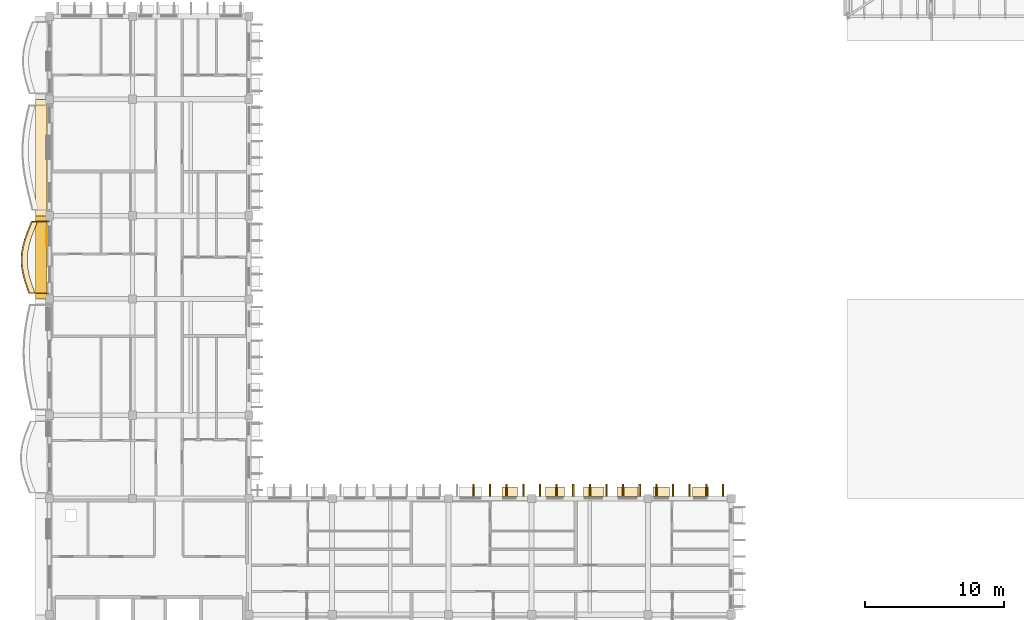
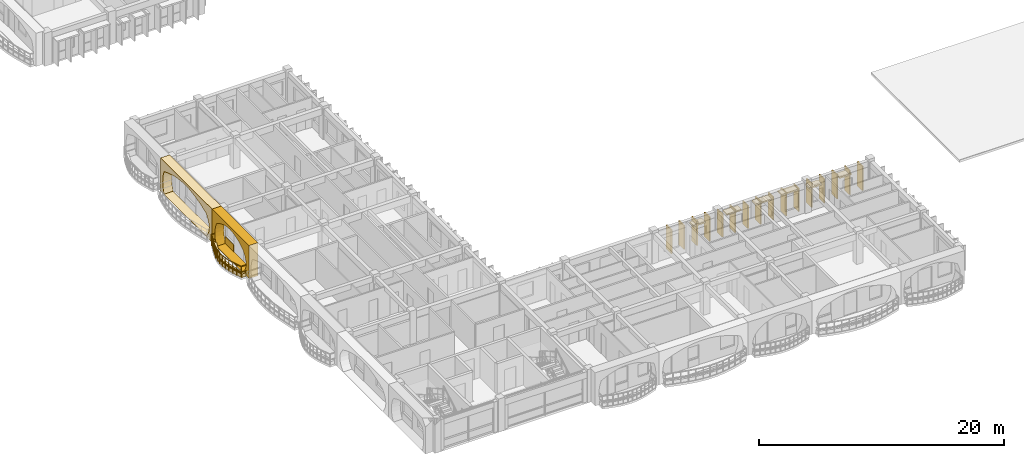
# One storey, part 73 of 101: 26 coverings, 1 railing.
"""IFC4 building model written with IfcOpenShell, lengths in metres."""

from ifc_helpers import new_model, si_unit, direction, frame, origin, origin_2d, place, context, subcontext, project, spatial, polyline, rectangle, outline, extrude, material, layer, layer_set, type_object, element, save


model = new_model("IFC4")

# Units and contexts
model_context = context("Model", 3, precision=1e-05, world=origin(), true_north=direction((0.0, 1.0)))
body_context = subcontext(model_context, "Body", "Model", "MODEL_VIEW")
ifc_project = project(units=[si_unit("LENGTHUNIT", "METRE"), si_unit("AREAUNIT", "SQUARE_METRE"), si_unit("VOLUMEUNIT", "CUBIC_METRE"), si_unit("PLANEANGLEUNIT", "RADIAN"), si_unit("MASSUNIT", "GRAM", prefix="KILO"), si_unit("THERMODYNAMICTEMPERATUREUNIT", "KELVIN")], contexts=[model_context])

# Site, building, storey
site_placement = place(None, origin())
site = spatial("IfcSite", under=ifc_project, at=site_placement, CompositionType="ELEMENT")
building_placement = place(site_placement, origin())
building = spatial("IfcBuilding", under=site, at=building_placement, Name="Thalorik Housing Commons", CompositionType="ELEMENT")
storey_placement = place(building_placement, frame((0.0, 0.0, 8.10009765625)))
storey = spatial("IfcBuildingStorey", under=building, at=storey_placement, Name="L02", CompositionType="ELEMENT", Elevation=8.10009765625)

# Coverings
ifc_material_1 = material(Name="Cobalt blue glazed ceramic facade tile panel", Category="masonry")
ifc_layer_1 = layer(ifc_material_1, 0.06005859375, Name="Cobalt blue glazed ceramic facade tile panel", Category="masonry")
ifc_layer_set_1 = layer_set([ifc_layer_1], Name="Cobalt blue glazed ceramic facade tile panel")
covering_type_1 = type_object("IfcCoveringType", Name="ARC-CLD-BLU-60", PredefinedType="CLADDING", material=ifc_layer_set_1)
covering_1_placement = place(storey_placement, frame((8.205078125, 41.72998046875, 0.0498046875), z_axis=(0.0, 0.0, 1.0), x_axis=(0.0, -1.0, 0.0)))
element("IfcCovering", 1, at=covering_1_placement, inside=storey, type_object=covering_type_1, Name="L02 De Stijl Recessed Window Spandrel 3594", PredefinedType="CLADDING", context=body_context, shape_type="SweptSolid", body=[
    extrude(rectangle(XDim=1.3798828125, YDim=0.06005859375, at=origin_2d()), origin(), (0.0, 0.0, 1.0), 0.699951171875),
])
ifc_material_2 = material(Name="Precast concrete C40/50", Category="concrete")
ifc_layer_2 = layer(ifc_material_2, 0.85009765625, Name="Precast concrete C40/50", Category="concrete")
ifc_layer_set_2 = layer_set([ifc_layer_2], Name="Precast concrete C40/50")
covering_type_2 = type_object("IfcCoveringType", Name="ARC-CLD-CUSH-850", PredefinedType="CLADDING", material=ifc_layer_set_2)
covering_2_placement = place(storey_placement, frame((7.81494140625, 47.39990234375, 0.0), z_axis=(0.0, 0.0, 1.0), x_axis=(0.0, -1.0, 0.0)))
element("IfcCovering", 2, at=covering_2_placement, inside=storey, type_object=covering_type_2, Name="L02 White Precast Curved Cushion Bay Frame 3591", PredefinedType="CLADDING", context=body_context, shape_type="SweptSolid", body=[
    extrude(outline(polyline([(-4.199951171875, 0.0), (4.199951171875, 0.0), (4.199951171875, 3.300048828125), (-4.199951171875, 3.300048828125), (-4.199951171875, 0.0)]), holes=[polyline([(3.239990234375, 0.02490234375), (3.523193359375, 0.40087890625), (3.693359375, 0.776611328125), (3.75, 1.152587890625), (3.693359375, 1.5283203125), (3.523193359375, 1.904296875), (3.239990234375, 2.280029296875), (2.66748046875, 2.51123046875), (2.094970703125, 2.693115234375), (1.5224609375, 2.840087890625), (0.949951171875, 2.94970703125), (0.37744140625, 3.01708984375), (-0.195068359375, 3.0400390625), (-0.767578125, 3.01708984375), (-1.340087890625, 2.94970703125), (-1.91259765625, 2.840087890625), (-2.485107421875, 2.693115234375), (-3.0576171875, 2.51123046875), (-3.6298828125, 2.280029296875), (-3.750244140625, 1.904296875), (-3.822509765625, 1.5283203125), (-3.8466796875, 1.152587890625), (-3.822509765625, 0.776611328125), (-3.750244140625, 0.40087890625), (-3.6298828125, 0.02490234375), (3.239990234375, 0.02490234375)])]), frame((0.0, 0.425048828125, 0.0), z_axis=(0.0, -1.0, 0.0), x_axis=(1.0, 0.0, 0.0)), (0.0, 0.0, 1.0), 0.85009765625),
])
covering_3_placement = place(storey_placement, frame((7.81494140625, 40.199951171875, 0.0), z_axis=(0.0, 0.0, 1.0), x_axis=(0.0, -1.0, 0.0)))
element("IfcCovering", 3, at=covering_3_placement, inside=storey, type_object=covering_type_2, Name="L02 White Precast Curved Cushion Bay Frame 3593", PredefinedType="CLADDING", context=body_context, shape_type="SweptSolid", body=[
    extrude(outline(polyline([(-3.0, 0.0), (3.0, 0.0), (3.0, 3.300048828125), (-3.0, 3.300048828125), (-3.0, 0.0)]), holes=[polyline([(2.0400390625, 0.02490234375), (2.3232421875, 0.404296875), (2.493408203125, 0.783203125), (2.550048828125, 1.16259765625), (2.493408203125, 1.541748046875), (2.3232421875, 1.9208984375), (2.0400390625, 2.300048828125), (1.680908203125, 2.525390625), (1.32177734375, 2.7021484375), (0.96240234375, 2.845458984375), (0.603271484375, 2.951904296875), (0.244140625, 3.017822265625), (-0.114990234375, 3.0400390625), (-0.47412109375, 3.017822265625), (-0.833251953125, 2.951904296875), (-1.1923828125, 2.845458984375), (-1.5517578125, 2.7021484375), (-1.910888671875, 2.525390625), (-2.27001953125, 2.300048828125), (-2.425537109375, 1.9208984375), (-2.518798828125, 1.541748046875), (-2.550048828125, 1.16259765625), (-2.518798828125, 0.783203125), (-2.425537109375, 0.404296875), (-2.27001953125, 0.02490234375), (2.0400390625, 0.02490234375)])]), frame((0.0, 0.425048828125, 0.0), z_axis=(0.0, -1.0, 0.0), x_axis=(1.0, 0.0, 0.0)), (0.0, 0.0, 1.0), 0.85009765625),
])
ifc_layer_3 = layer(ifc_material_2, 0.85009765625, Name="Precast concrete C40/50", Category="concrete")
ifc_layer_set_3 = layer_set([ifc_layer_3], Name="Precast concrete C40/50")
covering_type_3 = type_object("IfcCoveringType", Name="ARC-CLD-FIN-850", PredefinedType="CLADDING", material=ifc_layer_set_3)
for number, where, z_axis, x_axis, name in (
    (4, (57.0, 23.385009765625, 0.039794921875), (0.0, 0.0, 1.0), (-1.0, 0.0, 0.0), "L02 Courtyard Precast Vertical Brise-Soleil Fin 3630"),
    (5, (55.800048828125, 23.385009765625, 0.039794921875), (0.0, 0.0, 1.0), (-1.0, 0.0, 0.0), "L02 Courtyard Precast Vertical Brise-Soleil Fin 3631"),
    (6, (54.60009765625, 23.385009765625, 0.039794921875), (0.0, 0.0, 1.0), (-1.0, 0.0, 0.0), "L02 Courtyard Precast Vertical Brise-Soleil Fin 3632"),
    (7, (53.39990234375, 23.385009765625, 0.039794921875), (0.0, 0.0, 1.0), (-1.0, 0.0, 0.0), "L02 Courtyard Precast Vertical Brise-Soleil Fin 3633"),
    (8, (52.199951171875, 23.385009765625, 0.039794921875), (0.0, 0.0, 1.0), (-1.0, 0.0, 0.0), "L02 Courtyard Precast Vertical Brise-Soleil Fin 3634"),
):
    element("IfcCovering", number, at=place(storey_placement, frame(where, z_axis=z_axis, x_axis=x_axis)), inside=storey, type_object=covering_type_3, Name=name, PredefinedType="CLADDING", context=body_context, shape_type="SweptSolid", body=[
        extrude(rectangle(XDim=0.110107421875, YDim=0.85009765625, at=origin_2d()), origin(), (0.0, 0.0, 1.0), 2.39501953125),
    ])
for number, where, z_axis, x_axis, name in (
    (9, (51.0, 23.385009765625, 0.0400390625), (0.0, 0.0, 1.0), (-1.0, 0.0, 0.0), "L02 Courtyard Precast Vertical Brise-Soleil Fin 3637"),
    (10, (49.800048828125, 23.385009765625, 0.0400390625), (0.0, 0.0, 1.0), (-1.0, 0.0, 0.0), "L02 Courtyard Precast Vertical Brise-Soleil Fin 3638"),
    (11, (48.60009765625, 23.385009765625, 0.0400390625), (0.0, 0.0, 1.0), (-1.0, 0.0, 0.0), "L02 Courtyard Precast Vertical Brise-Soleil Fin 3639"),
    (12, (47.39990234375, 23.385009765625, 0.0400390625), (0.0, 0.0, 1.0), (-1.0, 0.0, 0.0), "L02 Courtyard Precast Vertical Brise-Soleil Fin 3640"),
    (13, (46.199951171875, 23.385009765625, 0.0400390625), (0.0, 0.0, 1.0), (-1.0, 0.0, 0.0), "L02 Courtyard Precast Vertical Brise-Soleil Fin 3641"),
    (14, (45.0, 23.385009765625, 0.0400390625), (0.0, 0.0, 1.0), (-1.0, 0.0, 0.0), "L02 Courtyard Precast Vertical Brise-Soleil Fin 3642"),
    (15, (43.800048828125, 23.385009765625, 0.0400390625), (0.0, 0.0, 1.0), (-1.0, 0.0, 0.0), "L02 Courtyard Precast Vertical Brise-Soleil Fin 3643"),
):
    element("IfcCovering", number, at=place(storey_placement, frame(where, z_axis=z_axis, x_axis=x_axis)), inside=storey, type_object=covering_type_3, Name=name, PredefinedType="CLADDING", context=body_context, shape_type="SweptSolid", body=[
        extrude(rectangle(XDim=0.110107421875, YDim=0.85009765625, at=origin_2d()), origin(), (0.0, 0.0, 1.0), 2.294921875),
    ])
for number, where, z_axis, x_axis, name in (
    (16, (42.60009765625, 23.385009765625, 0.039794921875), (0.0, 0.0, 1.0), (-1.0, 0.0, 0.0), "L02 Courtyard Precast Vertical Brise-Soleil Fin 3647"),
    (17, (41.39990234375, 23.385009765625, 0.039794921875), (0.0, 0.0, 1.0), (-1.0, 0.0, 0.0), "L02 Courtyard Precast Vertical Brise-Soleil Fin 3648"),
    (18, (40.199951171875, 23.385009765625, 0.039794921875), (0.0, 0.0, 1.0), (-1.0, 0.0, 0.0), "L02 Courtyard Precast Vertical Brise-Soleil Fin 3649"),
    (19, (39.0, 23.385009765625, 0.039794921875), (0.0, 0.0, 1.0), (-1.0, 0.0, 0.0), "L02 Courtyard Precast Vertical Brise-Soleil Fin 3650"),
):
    element("IfcCovering", number, at=place(storey_placement, frame(where, z_axis=z_axis, x_axis=x_axis)), inside=storey, type_object=covering_type_3, Name=name, PredefinedType="CLADDING", context=body_context, shape_type="SweptSolid", body=[
        extrude(rectangle(XDim=0.110107421875, YDim=0.85009765625, at=origin_2d()), origin(), (0.0, 0.0, 1.0), 2.39501953125),
    ])
ifc_layer_4 = layer(ifc_material_2, 0.64990234375, Name="Precast concrete C40/50", Category="concrete")
ifc_layer_set_4 = layer_set([ifc_layer_4], Name="Precast concrete C40/50")
covering_type_4 = type_object("IfcCoveringType", Name="ARC-CLD-HOOD-650", PredefinedType="CLADDING", material=ifc_layer_set_4)
covering_4_placement = place(storey_placement, frame((55.373291015625, 23.284912109375, 1.98974609375), z_axis=(0.0, 0.0, 1.0), x_axis=(-1.0, 0.0, 0.0)))
element("IfcCovering", 20, at=covering_4_placement, inside=storey, type_object=covering_type_4, Name="L02 Courtyard Precast Window Sun-Hood 3635", PredefinedType="CLADDING", context=body_context, shape_type="SweptSolid", body=[
    extrude(rectangle(XDim=1.139892578125, YDim=0.64990234375, at=origin_2d()), origin(), (0.0, 0.0, 1.0), 0.139892578125),
])
covering_5_placement = place(storey_placement, frame((52.5634765625, 23.284912109375, 1.93994140625), z_axis=(0.0, 0.0, 1.0), x_axis=(-1.0, 0.0, 0.0)))
element("IfcCovering", 21, at=covering_5_placement, inside=storey, type_object=covering_type_4, Name="L02 Courtyard Precast Window Sun-Hood 3636", PredefinedType="CLADDING", context=body_context, shape_type="SweptSolid", body=[
    extrude(rectangle(XDim=1.18994140625, YDim=0.64990234375, at=origin_2d()), origin(), (0.0, 0.0, 1.0), 0.139892578125),
])
covering_6_placement = place(storey_placement, frame((50.117431640625, 23.284912109375, 2.18994140625), z_axis=(0.0, 0.0, 1.0), x_axis=(-1.0, 0.0, 0.0)))
element("IfcCovering", 22, at=covering_6_placement, inside=storey, type_object=covering_type_4, Name="L02 Courtyard Precast Window Sun-Hood 3644", PredefinedType="CLADDING", context=body_context, shape_type="SweptSolid", body=[
    extrude(rectangle(XDim=1.5400390625, YDim=0.64990234375, at=origin_2d()), origin(), (0.0, 0.0, 1.0), 0.139892578125),
])
covering_7_placement = place(storey_placement, frame((47.672607421875, 23.284912109375, 2.08984375), z_axis=(0.0, 0.0, 1.0), x_axis=(-1.0, 0.0, 0.0)))
element("IfcCovering", 23, at=covering_7_placement, inside=storey, type_object=covering_type_4, Name="L02 Courtyard Precast Window Sun-Hood 3645", PredefinedType="CLADDING", context=body_context, shape_type="SweptSolid", body=[
    extrude(rectangle(XDim=1.489990234375, YDim=0.64990234375, at=origin_2d()), origin(), (0.0, 0.0, 1.0), 0.139892578125),
])
covering_8_placement = place(storey_placement, frame((44.885009765625, 23.284912109375, 2.0400390625), z_axis=(0.0, 0.0, 1.0), x_axis=(-1.0, 0.0, 0.0)))
element("IfcCovering", 24, at=covering_8_placement, inside=storey, type_object=covering_type_4, Name="L02 Courtyard Precast Window Sun-Hood 3646", PredefinedType="CLADDING", context=body_context, shape_type="SweptSolid", body=[
    extrude(rectangle(XDim=1.389892578125, YDim=0.64990234375, at=origin_2d()), origin(), (0.0, 0.0, 1.0), 0.139892578125),
])
covering_9_placement = place(storey_placement, frame((41.611328125, 23.284912109375, 1.98974609375), z_axis=(0.0, 0.0, 1.0), x_axis=(-1.0, 0.0, 0.0)))
element("IfcCovering", 25, at=covering_9_placement, inside=storey, type_object=covering_type_4, Name="L02 Courtyard Precast Window Sun-Hood 3652", PredefinedType="CLADDING", context=body_context, shape_type="SweptSolid", body=[
    extrude(rectangle(XDim=1.139892578125, YDim=0.64990234375, at=origin_2d()), origin(), (0.0, 0.0, 1.0), 0.139892578125),
])
ifc_material_3 = material(Name="Planted vegetated substrate and terracotta trough", Category="masonry")
ifc_layer_5 = layer(ifc_material_3, 0.340087890625, Name="Planted vegetated substrate and terracotta trough", Category="masonry")
ifc_layer_set_5 = layer_set([ifc_layer_5], Name="Planted vegetated substrate and terracotta trough")
covering_type_5 = type_object("IfcCoveringType", Name="ARC-COV-PLANTER", PredefinedType="USERDEFINED", material=ifc_layer_set_5)
covering_10_placement = place(storey_placement, origin())
element("IfcCovering", 26, at=covering_10_placement, inside=storey, type_object=covering_type_5, Name="L02 Balcony Slab-Edge Planted Trough 5569", ObjectType="PLANTER", PredefinedType="USERDEFINED", context=body_context, shape_type="SweptSolid", body=[
    extrude(outline(polyline([(7.16845703125, 42.780029296875), (6.990478515625, 42.35009765625), (6.82177734375, 41.919921875), (6.6728515625, 41.489990234375), (6.553466796875, 41.06005859375), (6.470703125, 40.6298828125), (6.429443359375, 40.199951171875), (6.43212890625, 39.77001953125), (6.477783203125, 39.340087890625), (6.56298828125, 38.909912109375), (6.68115234375, 38.47998046875), (6.82421875, 38.050048828125), (6.982421875, 37.6201171875), (7.3623046875, 37.6201171875), (7.204345703125, 38.050048828125), (7.061279296875, 38.47998046875), (6.94287109375, 38.909912109375), (6.85791015625, 39.340087890625), (6.812255859375, 39.77001953125), (6.8095703125, 40.199951171875), (6.8505859375, 40.6298828125), (6.933349609375, 41.06005859375), (7.052978515625, 41.489990234375), (7.201904296875, 41.919921875), (7.37060546875, 42.35009765625), (7.54833984375, 42.780029296875), (7.16845703125, 42.780029296875)])), origin(), (0.0, 0.0, 1.0), 0.33984375),
])

# Railing
ifc_material_4 = material(Name="Steel S355", Category="steel")
railing_type = type_object("IfcRailingType", Name="ARC-RL-BAL-115", PredefinedType="BALUSTRADE", material=ifc_material_4)
railing_placement = place(storey_placement, frame((8.39990234375, 42.780029296875, 0.0)))
element("IfcRailing", 27, at=railing_placement, inside=storey, type_object=railing_type, Name="L02 Cushion Balcony Guardrail 253", PredefinedType="BALUSTRADE", context=body_context, shape_type="SweptSolid", body=[
    extrude(rectangle(XDim=0.050048828125, YDim=0.050048828125, at=origin_2d()), frame((0.0, 0.0, 1.125), z_axis=(-1.0, 0.0, 0.0), x_axis=(0.0, -1.0, 0.0)), (0.0, 0.0, 1.0), 1.301513671875),
    extrude(rectangle(XDim=0.050048828125, YDim=0.050048828125, at=origin_2d()), frame((0.0, 0.0, 0.5498046875), z_axis=(-1.0, 0.0, 0.0), x_axis=(0.0, -1.0, 0.0)), (0.0, 0.0, 1.0), 1.301513671875),
    extrude(rectangle(XDim=0.050048828125, YDim=0.050048828125, at=origin_2d()), frame((-1.301513671875, 0.0, 1.125), z_axis=(-0.382490814953, -0.923959293734, 0.0), x_axis=(0.923959293734, -0.382490814953, 0.0)), (0.0, 0.0, 1.0), 0.46533203125),
    extrude(rectangle(XDim=0.050048828125, YDim=0.050048828125, at=origin_2d()), frame((-1.301513671875, 0.0, 0.5498046875), z_axis=(-0.382490814953, -0.923959293734, 0.0), x_axis=(0.923959293734, -0.382490814953, 0.0)), (0.0, 0.0, 1.0), 0.46533203125),
    extrude(rectangle(XDim=0.050048828125, YDim=0.050048828125, at=origin_2d()), frame((-1.4794921875, -0.429931640625, 1.125), z_axis=(-0.365096507922, -0.93096967722, 0.0), x_axis=(0.93096967722, -0.365096507922, 0.0)), (0.0, 0.0, 1.0), 0.462158203125),
    extrude(rectangle(XDim=0.050048828125, YDim=0.050048828125, at=origin_2d()), frame((-1.4794921875, -0.429931640625, 0.5498046875), z_axis=(-0.365096507922, -0.93096967722, 0.0), x_axis=(0.93096967722, -0.365096507922, 0.0)), (0.0, 0.0, 1.0), 0.462158203125),
    extrude(rectangle(XDim=0.050048828125, YDim=0.050048828125, at=origin_2d()), frame((-1.648193359375, -0.860107421875, 1.125), z_axis=(-0.327313279786, -0.944915878201, 0.0), x_axis=(0.944915878201, -0.327313279786, 0.0)), (0.0, 0.0, 1.0), 0.455078125),
    extrude(rectangle(XDim=0.050048828125, YDim=0.050048828125, at=origin_2d()), frame((-1.648193359375, -0.860107421875, 0.5498046875), z_axis=(-0.327313279786, -0.944915878201, 0.0), x_axis=(0.944915878201, -0.327313279786, 0.0)), (0.0, 0.0, 1.0), 0.455078125),
    extrude(rectangle(XDim=0.050048828125, YDim=0.050048828125, at=origin_2d()), frame((-1.797119140625, -1.2900390625, 1.125), z_axis=(-0.267559202538, -0.963541422637, 0.0), x_axis=(0.963541422637, -0.267559202538, 0.0)), (0.0, 0.0, 1.0), 0.4462890625),
    extrude(rectangle(XDim=0.050048828125, YDim=0.050048828125, at=origin_2d()), frame((-1.797119140625, -1.2900390625, 0.5498046875), z_axis=(-0.267559202538, -0.963541422637, 0.0), x_axis=(0.963541422637, -0.267559202538, 0.0)), (0.0, 0.0, 1.0), 0.4462890625),
    extrude(rectangle(XDim=0.050048828125, YDim=0.050048828125, at=origin_2d()), frame((-1.91650390625, -1.719970703125, 1.125), z_axis=(-0.188930076075, -0.981990542905, 0.0), x_axis=(0.981990542905, -0.188930076075, 0.0)), (0.0, 0.0, 1.0), 0.43798828125),
    extrude(rectangle(XDim=0.050048828125, YDim=0.050048828125, at=origin_2d()), frame((-1.91650390625, -1.719970703125, 0.5498046875), z_axis=(-0.188930076075, -0.981990542905, 0.0), x_axis=(0.981990542905, -0.188930076075, 0.0)), (0.0, 0.0, 1.0), 0.43798828125),
    extrude(rectangle(XDim=0.050048828125, YDim=0.050048828125, at=origin_2d()), frame((-1.999267578125, -2.150146484375, 1.125), z_axis=(-0.094969151771, -0.995480215882, 0.0), x_axis=(0.995480215882, -0.094969151771, 0.0)), (0.0, 0.0, 1.0), 0.431884765625),
    extrude(rectangle(XDim=0.050048828125, YDim=0.050048828125, at=origin_2d()), frame((-1.999267578125, -2.150146484375, 0.5498046875), z_axis=(-0.094969151771, -0.995480215882, 0.0), x_axis=(0.995480215882, -0.094969151771, 0.0)), (0.0, 0.0, 1.0), 0.431884765625),
    extrude(rectangle(XDim=0.050048828125, YDim=0.050048828125, at=origin_2d()), frame((-2.040283203125, -2.580078125, 1.125), z_axis=(0.006246329021, -0.999980491497, 0.0), x_axis=(0.999980491497, 0.006246329021, 0.0)), (0.0, 0.0, 1.0), 0.429931640625),
    extrude(rectangle(XDim=0.050048828125, YDim=0.050048828125, at=origin_2d()), frame((-2.040283203125, -2.580078125, 0.5498046875), z_axis=(0.006246329021, -0.999980491497, 0.0), x_axis=(0.999980491497, 0.006246329021, 0.0)), (0.0, 0.0, 1.0), 0.429931640625),
    extrude(rectangle(XDim=0.050048828125, YDim=0.050048828125, at=origin_2d()), frame((-2.03759765625, -3.010009765625, 1.125), z_axis=(0.105595970915, -0.994409116474, 0.0), x_axis=(0.994409116474, 0.105595970915, 0.0)), (0.0, 0.0, 1.0), 0.432373046875),
    extrude(rectangle(XDim=0.050048828125, YDim=0.050048828125, at=origin_2d()), frame((-2.03759765625, -3.010009765625, 0.5498046875), z_axis=(0.105595970915, -0.994409116474, 0.0), x_axis=(0.994409116474, 0.105595970915, 0.0)), (0.0, 0.0, 1.0), 0.432373046875),
    extrude(rectangle(XDim=0.050048828125, YDim=0.050048828125, at=origin_2d()), frame((-1.991943359375, -3.43994140625, 1.125), z_axis=(0.1937599553, -0.981048969075, 0.0), x_axis=(0.981048969075, 0.1937599553, 0.0)), (0.0, 0.0, 1.0), 0.4384765625),
    extrude(rectangle(XDim=0.050048828125, YDim=0.050048828125, at=origin_2d()), frame((-1.991943359375, -3.43994140625, 0.5498046875), z_axis=(0.1937599553, -0.981048969075, 0.0), x_axis=(0.981048969075, 0.1937599553, 0.0)), (0.0, 0.0, 1.0), 0.4384765625),
    extrude(rectangle(XDim=0.050048828125, YDim=0.050048828125, at=origin_2d()), frame((-1.906982421875, -3.8701171875, 1.125), z_axis=(0.265016489476, -0.964243880098, 0.0), x_axis=(0.964243880098, 0.265016489476, 0.0)), (0.0, 0.0, 1.0), 0.44580078125),
    extrude(rectangle(XDim=0.050048828125, YDim=0.050048828125, at=origin_2d()), frame((-1.906982421875, -3.8701171875, 0.5498046875), z_axis=(0.265016489476, -0.964243880098, 0.0), x_axis=(0.964243880098, 0.265016489476, 0.0)), (0.0, 0.0, 1.0), 0.44580078125),
    extrude(rectangle(XDim=0.050048828125, YDim=0.050048828125, at=origin_2d()), frame((-1.788818359375, -4.300048828125, 1.125), z_axis=(0.316227766017, -0.948683298051, 0.0), x_axis=(0.948683298051, 0.316227766017, 0.0)), (0.0, 0.0, 1.0), 0.453125),
    extrude(rectangle(XDim=0.050048828125, YDim=0.050048828125, at=origin_2d()), frame((-1.788818359375, -4.300048828125, 0.5498046875), z_axis=(0.316227766017, -0.948683298051, 0.0), x_axis=(0.948683298051, 0.316227766017, 0.0)), (0.0, 0.0, 1.0), 0.453125),
    extrude(rectangle(XDim=0.050048828125, YDim=0.050048828125, at=origin_2d()), frame((-1.6455078125, -4.72998046875, 1.125), z_axis=(0.34486538533, -0.938652153889, 0.0), x_axis=(0.938652153889, 0.34486538533, 0.0)), (0.0, 0.0, 1.0), 0.4580078125),
    extrude(rectangle(XDim=0.050048828125, YDim=0.050048828125, at=origin_2d()), frame((-1.6455078125, -4.72998046875, 0.5498046875), z_axis=(0.34486538533, -0.938652153889, 0.0), x_axis=(0.938652153889, 0.34486538533, 0.0)), (0.0, 0.0, 1.0), 0.4580078125),
    extrude(rectangle(XDim=0.050048828125, YDim=0.050048828125, at=origin_2d()), frame((-1.487548828125, -5.159912109375, 1.125), z_axis=(1.0, 0.0, 0.0), x_axis=(0.0, 1.0, 0.0)), (0.0, 0.0, 1.0), 1.487548828125),
    extrude(rectangle(XDim=0.050048828125, YDim=0.050048828125, at=origin_2d()), frame((-1.487548828125, -5.159912109375, 0.5498046875), z_axis=(1.0, 0.0, 0.0), x_axis=(0.0, 1.0, 0.0)), (0.0, 0.0, 1.0), 1.487548828125),
    extrude(rectangle(XDim=0.0419921875, YDim=0.0419921875, at=origin_2d()), origin(), (0.0, 0.0, 1.0), 1.099853515625),
    extrude(rectangle(XDim=0.0419921875, YDim=0.0419921875, at=origin_2d()), frame((-1.301513671875, 0.0, 0.0)), (0.0, 0.0, 1.0), 1.099853515625),
    extrude(rectangle(XDim=0.0419921875, YDim=0.0419921875, at=origin_2d()), frame((-1.4794921875, -0.429931640625, 0.0)), (0.0, 0.0, 1.0), 1.099853515625),
    extrude(rectangle(XDim=0.0419921875, YDim=0.0419921875, at=origin_2d()), frame((-1.648193359375, -0.860107421875, 0.0)), (0.0, 0.0, 1.0), 1.099853515625),
    extrude(rectangle(XDim=0.0419921875, YDim=0.0419921875, at=origin_2d()), frame((-1.797119140625, -1.2900390625, 0.0)), (0.0, 0.0, 1.0), 1.099853515625),
    extrude(rectangle(XDim=0.0419921875, YDim=0.0419921875, at=origin_2d()), frame((-1.91650390625, -1.719970703125, 0.0)), (0.0, 0.0, 1.0), 1.099853515625),
    extrude(rectangle(XDim=0.0419921875, YDim=0.0419921875, at=origin_2d()), frame((-1.999267578125, -2.150146484375, 0.0)), (0.0, 0.0, 1.0), 1.099853515625),
    extrude(rectangle(XDim=0.0419921875, YDim=0.0419921875, at=origin_2d()), frame((-2.040283203125, -2.580078125, 0.0)), (0.0, 0.0, 1.0), 1.099853515625),
    extrude(rectangle(XDim=0.0419921875, YDim=0.0419921875, at=origin_2d()), frame((-2.03759765625, -3.010009765625, 0.0)), (0.0, 0.0, 1.0), 1.099853515625),
    extrude(rectangle(XDim=0.0419921875, YDim=0.0419921875, at=origin_2d()), frame((-1.991943359375, -3.43994140625, 0.0)), (0.0, 0.0, 1.0), 1.099853515625),
    extrude(rectangle(XDim=0.0419921875, YDim=0.0419921875, at=origin_2d()), frame((-1.906982421875, -3.8701171875, 0.0)), (0.0, 0.0, 1.0), 1.099853515625),
    extrude(rectangle(XDim=0.0419921875, YDim=0.0419921875, at=origin_2d()), frame((-1.788818359375, -4.300048828125, 0.0)), (0.0, 0.0, 1.0), 1.099853515625),
    extrude(rectangle(XDim=0.0419921875, YDim=0.0419921875, at=origin_2d()), frame((-1.6455078125, -4.72998046875, 0.0)), (0.0, 0.0, 1.0), 1.099853515625),
    extrude(rectangle(XDim=0.0419921875, YDim=0.0419921875, at=origin_2d()), frame((-1.487548828125, -5.159912109375, 0.0)), (0.0, 0.0, 1.0), 1.099853515625),
    extrude(rectangle(XDim=0.0419921875, YDim=0.0419921875, at=origin_2d()), frame((0.0, -5.159912109375, 0.0)), (0.0, 0.0, 1.0), 1.099853515625),
])

save(model, "model.ifc")
